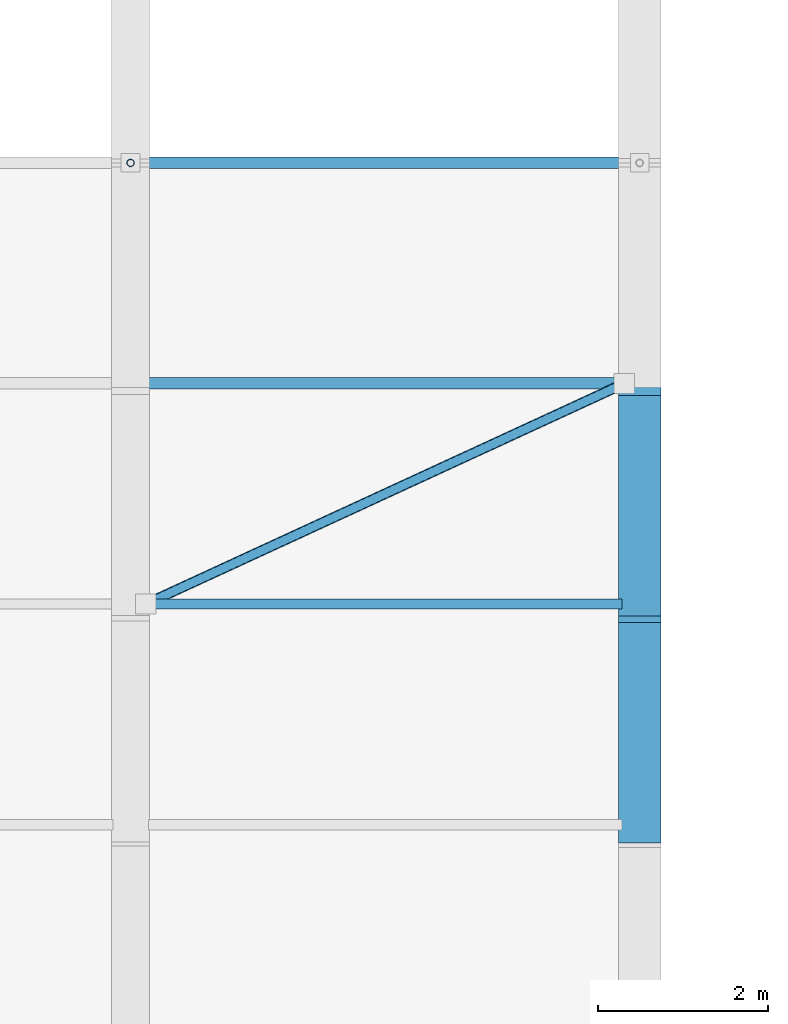
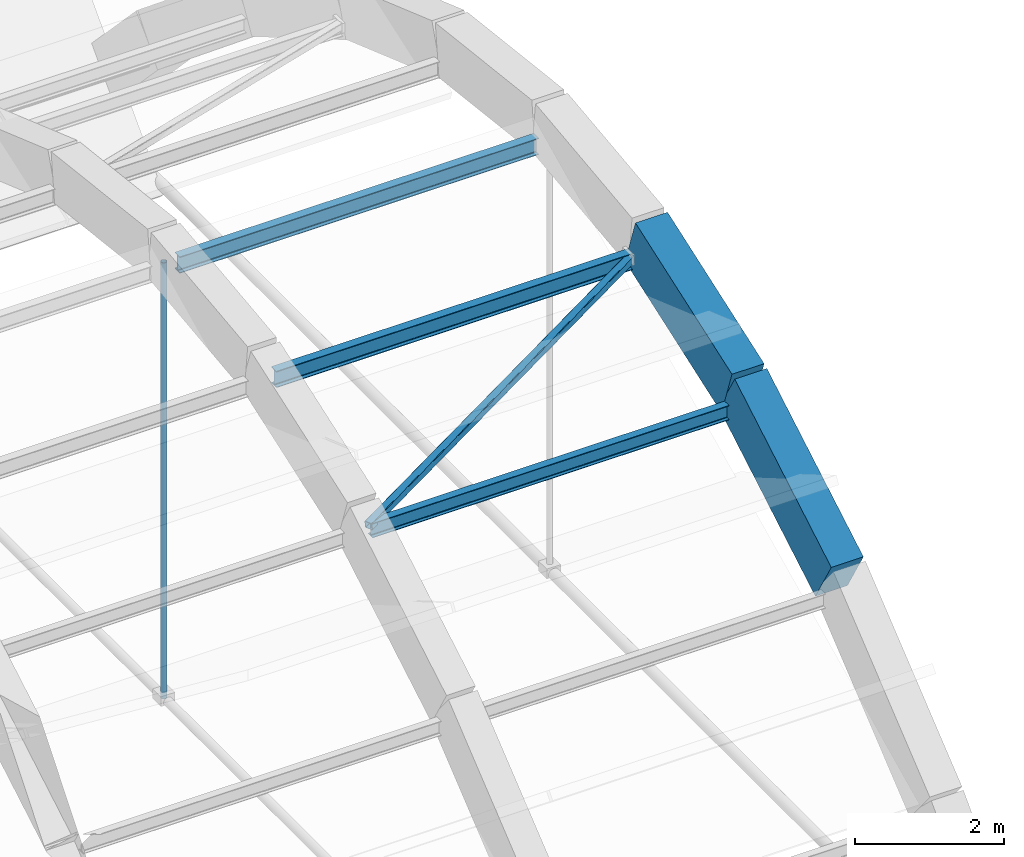
# One storey, part 34 of 123: 5 beams, 2 members.
"""IFC4 building model written with IfcOpenShell, lengths in metres."""

from ifc_helpers import new_model, si_unit, direction, frame, origin, origin_2d, place, context, subcontext, project, spatial, rectangle, hollow_rectangle, hollow_circle, i_section, extrude, material, material_profile, profile_set, type_object, element, save


model = new_model("IFC4")

# Units and contexts
model_context = context("Model", 3, precision=1e-05, world=origin(), true_north=direction((0.0, 1.0)))
body_context = subcontext(model_context, "Body", "Model", "MODEL_VIEW")
ifc_project = project(units=[si_unit("LENGTHUNIT", "METRE"), si_unit("AREAUNIT", "SQUARE_METRE"), si_unit("VOLUMEUNIT", "CUBIC_METRE"), si_unit("PLANEANGLEUNIT", "RADIAN"), si_unit("MASSUNIT", "GRAM", prefix="KILO"), si_unit("POWERUNIT", "WATT"), si_unit("THERMODYNAMICTEMPERATUREUNIT", "KELVIN")], contexts=[model_context])

# Site, building, storey
site_placement = place(None, origin())
site = spatial("IfcSite", under=ifc_project, at=site_placement, CompositionType="ELEMENT")
building_placement = place(site_placement, origin())
building = spatial("IfcBuilding", under=site, at=building_placement, Name="Ruvembo Vaulted Housing Court", CompositionType="ELEMENT")
storey_placement = place(building_placement, frame((0.0, 0.0, 7.699951171875)))
storey = spatial("IfcBuildingStorey", under=building, at=storey_placement, Name="L02", CompositionType="ELEMENT", Elevation=7.699951171875)

# Beams
ifc_material_1 = material(Name="Concrete C35/45", Category="concrete")
ifc_material_profile_1 = material_profile(ifc_material_1, rectangle(XDim=0.5, YDim=0.85009765625, at=origin_2d()), Name="RC 500x850")
ifc_profile_set_1 = profile_set([ifc_material_profile_1], Name="Concrete C35/45")
beam_type_1 = type_object("IfcBeamType", Name="AR-RC-500x850", PredefinedType="BEAM", material=ifc_profile_set_1)
beam_1_placement = place(storey_placement, frame((108.0, 47.199951171875, 3.364013671875), z_axis=(0.0, 0.863302227703, 0.504687292928), x_axis=(-1.0, 0.0, 0.0)))
element("IfcBeam", 1, at=beam_1_placement, inside=storey, type_object=beam_type_1, Name="Community Hall Parabolic Arch Rib AR-08 Seg 3", PredefinedType="BEAM", context=body_context, shape_type="SweptSolid", body=[
    extrude(rectangle(XDim=0.5, YDim=0.85009765625, at=origin_2d()), origin(), (0.0, 0.0, 1.0), 3.01171875),
])
beam_2_placement = place(storey_placement, frame((108.0, 49.800048828125, 4.884033203125), z_axis=(0.0, 0.943613580104, 0.331048956265), x_axis=(-1.0, 0.0, 0.0)))
element("IfcBeam", 2, at=beam_2_placement, inside=storey, type_object=beam_type_1, Name="Community Hall Parabolic Arch Rib AR-08 Seg 4", PredefinedType="BEAM", context=body_context, shape_type="SweptSolid", body=[
    extrude(rectangle(XDim=0.5, YDim=0.85009765625, at=origin_2d()), origin(), (0.0, 0.0, 1.0), 2.755126953125),
])
ifc_material_2 = material(Name="Steel S355J2", Category="steel")
ifc_material_profile_2 = material_profile(ifc_material_2, i_section(OverallWidth=0.1201171875, OverallDepth=0.239990234375, WebThickness=0.006103515625, FlangeThickness=0.009765625, FilletRadius=0.014892578125, at=origin_2d()), Name="IPE 240")
ifc_profile_set_2 = profile_set([ifc_material_profile_2], Name="Steel S355J2")
beam_type_2 = type_object("IfcBeamType", Name="BM-ST-IPE240", PredefinedType="BEAM", material=ifc_profile_set_2)
beam_3_placement = place(storey_placement, frame((102.2099609375, 49.800048828125, 4.60400390625), z_axis=(1.0, 0.0, 0.0), x_axis=(0.0, 1.0, 0.0)))
element("IfcBeam", 3, at=beam_3_placement, inside=storey, type_object=beam_type_2, Name="Vault Bay 7 Steel Purlin K3", PredefinedType="BEAM", context=body_context, shape_type="SweptSolid", body=[
    extrude(i_section(OverallWidth=0.1201171875, OverallDepth=0.239990234375, WebThickness=0.006103515625, FlangeThickness=0.009765625, FilletRadius=0.014892578125, at=origin_2d()), origin(), (0.0, 0.0, 1.0), 5.580078125),
])
ifc_material_profile_3 = material_profile(ifc_material_2, i_section(OverallWidth=0.135009765625, OverallDepth=0.27001953125, WebThickness=0.006591796875, FlangeThickness=0.01025390625, FilletRadius=0.014892578125, at=origin_2d()), Name="IPE 270")
ifc_profile_set_3 = profile_set([ifc_material_profile_3], Name="Steel S355J2")
beam_type_3 = type_object("IfcBeamType", Name="BM-ST-IPE270", PredefinedType="BEAM", material=ifc_profile_set_3)
for number, where, z_axis, x_axis, name in (
    (4, (102.2099609375, 52.39990234375, 5.51611328125), (1.0, 0.0, 0.0), (0.0, 1.0, 0.0), "Vault Bay 7 Steel Purlin K4"),
    (5, (102.2099609375, 55.0, 5.820068359375), (1.0, 0.0, 0.0), (0.0, 1.0, 0.0), "Vault Bay 7 Steel Purlin K5"),
):
    element("IfcBeam", number, at=place(storey_placement, frame(where, z_axis=z_axis, x_axis=x_axis)), inside=storey, type_object=beam_type_3, Name=name, PredefinedType="BEAM", context=body_context, shape_type="SweptSolid", body=[
        extrude(i_section(OverallWidth=0.135009765625, OverallDepth=0.27001953125, WebThickness=0.006591796875, FlangeThickness=0.01025390625, FilletRadius=0.014892578125, at=origin_2d()), origin(), (0.0, 0.0, 1.0), 5.580078125),
    ])

# Members
ifc_material_profile_4 = material_profile(ifc_material_2, hollow_rectangle(XDim=0.1201171875, YDim=0.1201171875, WallThickness=0.008056640625, InnerFilletRadius=0.008056640625, OuterFilletRadius=0.01611328125, at=origin_2d()), Name="SHS 120x120x8")
ifc_profile_set_4 = profile_set([ifc_material_profile_4], Name="Steel S355J2")
member_type_1 = type_object("IfcMemberType", Name="MEM-BRC-SHS120", PredefinedType="BRACE", material=ifc_profile_set_4)
member_1_placement = place(storey_placement, frame((102.179931640625, 49.800048828125, 4.6640625), z_axis=(0.898527071987, 0.414181230612, 0.145268747895), x_axis=(-0.418621873876, 0.908160628255, 0.0)))
element("IfcMember", 6, at=member_1_placement, inside=storey, type_object=member_type_1, Name="Vault Roof Arch Wind Brace B7.3", PredefinedType="BRACE", context=body_context, shape_type="SweptSolid", body=[
    extrude(hollow_rectangle(XDim=0.1201171875, YDim=0.1201171875, WallThickness=0.008056640625, InnerFilletRadius=0.008056640625, OuterFilletRadius=0.01611328125, at=origin_2d()), origin(), (0.0, 0.0, 1.0), 6.277099609375),
])
ifc_material_profile_5 = material_profile(ifc_material_2, hollow_circle(Radius=0.04443359375, WallThickness=0.0048828125, at=origin_2d()), Name="CHS 88.9x5")
ifc_profile_set_5 = profile_set([ifc_material_profile_5], Name="Steel S355J2")
member_type_2 = type_object("IfcMemberType", Name="MEM-HGR-CHS89", PredefinedType="STRUT", material=ifc_profile_set_5)
member_2_placement = place(storey_placement, frame((102.0, 55.0, -1.25), z_axis=(0.0, 0.0, 1.0), x_axis=(1.0, 0.0, 0.0)))
element("IfcMember", 7, at=member_2_placement, inside=storey, type_object=member_type_2, Name="Vault Crown Hanger Rod VH-07", PredefinedType="STRUT", context=body_context, shape_type="SweptSolid", body=[
    extrude(hollow_circle(Radius=0.04443359375, WallThickness=0.0048828125, at=origin_2d()), origin(), (0.0, 0.0, 1.0), 7.170166015625),
])

save(model, "model.ifc")
